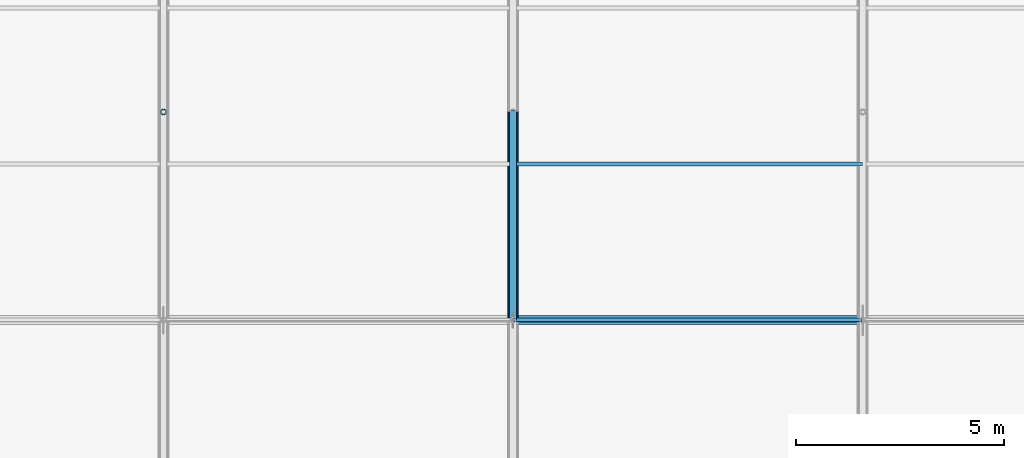
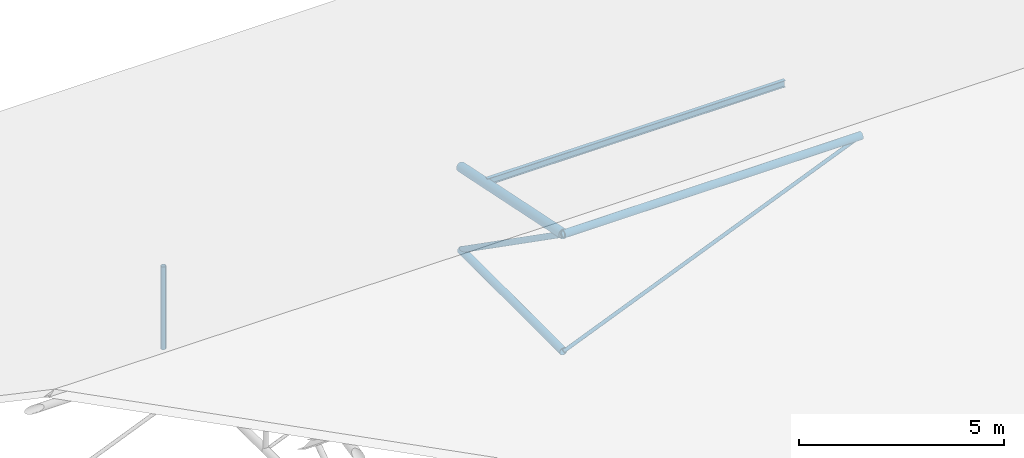
# One storey, part 94 of 194: 6 members, 1 beam.
"""IFC4 building model written with IfcOpenShell, lengths in metres."""

from ifc_helpers import new_model, si_unit, direction, frame, origin, origin_2d, place, context, subcontext, project, spatial, hollow_circle, i_section, extrude, material, material_profile, profile_set, type_object, element, save


model = new_model("IFC4")

# Units and contexts
model_context = context("Model", 3, precision=1e-05, world=origin(), true_north=direction((0.0, 1.0)))
body_context = subcontext(model_context, "Body", "Model", "MODEL_VIEW")
ifc_project = project(units=[si_unit("LENGTHUNIT", "METRE"), si_unit("AREAUNIT", "SQUARE_METRE"), si_unit("VOLUMEUNIT", "CUBIC_METRE"), si_unit("PLANEANGLEUNIT", "RADIAN"), si_unit("MASSUNIT", "GRAM", prefix="KILO")], contexts=[model_context])

# Site, building, storey
site_placement = place(None, origin())
site = spatial("IfcSite", under=ifc_project, at=site_placement, CompositionType="ELEMENT")
building_placement = place(site_placement, origin())
building = spatial("IfcBuilding", under=site, at=building_placement, Name="Kazenagashi Tramway Depot", CompositionType="ELEMENT")
storey_placement = place(building_placement, frame((0.0, 0.0, 23.7)))
storey = spatial("IfcBuildingStorey", under=building, at=storey_placement, Name="ROOF", CompositionType="ELEMENT", Elevation=23.7)

# Beam
ifc_material_1 = material(Name="Steel SN400B", Category="steel")
ifc_material_profile_1 = material_profile(ifc_material_1, i_section(OverallWidth=0.1, OverallDepth=0.2, WebThickness=0.0055, FlangeThickness=0.008, at=origin_2d()), Name="H-200x100x5.5x8")
ifc_profile_set_1 = profile_set([ifc_material_profile_1], Name="Steel SN400B")
beam_type = type_object("IfcBeamType", Name="PR-01", PredefinedType="USERDEFINED", material=ifc_profile_set_1)
beam_placement = place(storey_placement, frame((137.2, 118.75, -11.305), z_axis=(1.0, 0.0, 0.0), x_axis=(0.0, 1.0, 0.0)))
element("IfcBeam", 1, at=beam_placement, inside=storey, type_object=beam_type, Name="Beam PR-01 BM-2191", ObjectType="PURLIN", PredefinedType="USERDEFINED", context=body_context, shape_type="SweptSolid", body=[
    extrude(i_section(OverallWidth=0.1, OverallDepth=0.2, WebThickness=0.0055, FlangeThickness=0.008, at=origin_2d()), origin(), (0.0, 0.0, 1.0), 8.4),
])

# Members
ifc_material_2 = material(Name="Steel STK490", Category="steel")
ifc_material_profile_2 = material_profile(ifc_material_2, hollow_circle(Radius=0.1337, WallThickness=0.0093, at=origin_2d()), Name="CHS-267.4x9.3")
ifc_profile_set_2 = profile_set([ifc_material_profile_2], Name="Steel STK490")
member_type_1 = type_object("IfcMemberType", Name="TC-01", PredefinedType="CHORD", material=ifc_profile_set_2)
member_1_placement = place(storey_placement, frame((137.2, 115.0, -10.6), z_axis=(0.0, 0.979317999984, -0.202327098797), x_axis=(-1.0, 0.0, 0.0)))
element("IfcMember", 2, at=member_1_placement, inside=storey, type_object=member_type_1, Name="Tubular Space Frame TC-01 MEM-0712", PredefinedType="CHORD", context=body_context, shape_type="SweptSolid", body=[
    extrude(hollow_circle(Radius=0.1337, WallThickness=0.0093, at=origin_2d()), origin(), (0.0, 0.0, 1.0), 5.105594),
])
ifc_material_profile_3 = material_profile(ifc_material_2, hollow_circle(Radius=0.10815, WallThickness=0.0082, at=origin_2d()), Name="CHS-216.3x8.2")
ifc_profile_set_3 = profile_set([ifc_material_profile_3], Name="Steel STK490")
member_type_2 = type_object("IfcMemberType", Name="TC-02", PredefinedType="CHORD", material=ifc_profile_set_3)
member_2_placement = place(storey_placement, frame((137.2, 115.0, -14.1), z_axis=(0.0, 1.0, 0.0), x_axis=(-1.0, 0.0, 0.0)))
element("IfcMember", 3, at=member_2_placement, inside=storey, type_object=member_type_2, Name="Tubular Space Frame TC-02 MEM-0713", PredefinedType="CHORD", context=body_context, shape_type="SweptSolid", body=[
    extrude(hollow_circle(Radius=0.10815, WallThickness=0.0082, at=origin_2d()), origin(), (0.0, 0.0, 1.0), 5.0),
])
member_3_placement = place(storey_placement, frame((137.2, 115.0, -10.6), z_axis=(1.0, 0.0, 0.0), x_axis=(0.0, 1.0, 0.0)))
element("IfcMember", 4, at=member_3_placement, inside=storey, type_object=member_type_2, Name="Tubular Space Frame TC-02 MEM-0729", PredefinedType="CHORD", context=body_context, shape_type="SweptSolid", body=[
    extrude(hollow_circle(Radius=0.10815, WallThickness=0.0082, at=origin_2d()), origin(), (0.0, 0.0, 1.0), 8.4),
])
ifc_material_profile_4 = material_profile(ifc_material_2, hollow_circle(Radius=0.0826, WallThickness=0.0071, at=origin_2d()), Name="CHS-165.2x7.1")
ifc_profile_set_4 = profile_set([ifc_material_profile_4], Name="Steel STK490")
member_type_3 = type_object("IfcMemberType", Name="TS-01", PredefinedType="STRUT", material=ifc_profile_set_4)
member_4_placement = place(storey_placement, frame((137.2, 115.0, -10.6), z_axis=(0.0, 0.819231920519, -0.573462344363), x_axis=(-1.0, 0.0, 0.0)))
element("IfcMember", 5, at=member_4_placement, inside=storey, type_object=member_type_3, Name="Tubular Space Frame TS-01 MEM-0714", PredefinedType="STRUT", context=body_context, shape_type="SweptSolid", body=[
    extrude(hollow_circle(Radius=0.0826, WallThickness=0.0071, at=origin_2d()), origin(), (0.0, 0.0, 1.0), 6.103278),
])
ifc_material_profile_5 = material_profile(ifc_material_2, hollow_circle(Radius=0.0699, WallThickness=0.0066, at=origin_2d()), Name="CHS-139.8x6.6")
ifc_profile_set_5 = profile_set([ifc_material_profile_5], Name="Steel STK490")
member_type_4 = type_object("IfcMemberType", Name="TS-02", PredefinedType="STRUT", material=ifc_profile_set_5)
member_5_placement = place(storey_placement, frame((128.8, 120.0, -14.1), z_axis=(0.0, 0.0, 1.0), x_axis=(1.0, 0.0, 0.0)))
element("IfcMember", 6, at=member_5_placement, inside=storey, type_object=member_type_4, Name="Tubular Space Frame TS-02 MEM-0663", PredefinedType="STRUT", context=body_context, shape_type="SweptSolid", body=[
    extrude(hollow_circle(Radius=0.0699, WallThickness=0.0066, at=origin_2d()), origin(), (0.0, 0.0, 1.0), 2.467),
])
ifc_material_3 = material(Name="Steel STK400", Category="steel")
ifc_material_profile_6 = material_profile(ifc_material_3, hollow_circle(Radius=0.0508, WallThickness=0.0042, at=origin_2d()), Name="CHS-101.6x4.2")
ifc_profile_set_6 = profile_set([ifc_material_profile_6], Name="Steel STK400")
member_type_5 = type_object("IfcMemberType", Name="TS-06", PredefinedType="STRUT", material=ifc_profile_set_6)
member_6_placement = place(storey_placement, frame((137.2, 115.0, -14.1), z_axis=(0.923076923077, 0.0, 0.384615384615), x_axis=(0.0, 1.0, 0.0)))
element("IfcMember", 7, at=member_6_placement, inside=storey, type_object=member_type_5, Name="Tubular Space Frame TS-06 MEM-0730", PredefinedType="STRUT", context=body_context, shape_type="SweptSolid", body=[
    extrude(hollow_circle(Radius=0.0508, WallThickness=0.0042, at=origin_2d()), origin(), (0.0, 0.0, 1.0), 9.1),
])

save(model, "model.ifc")
